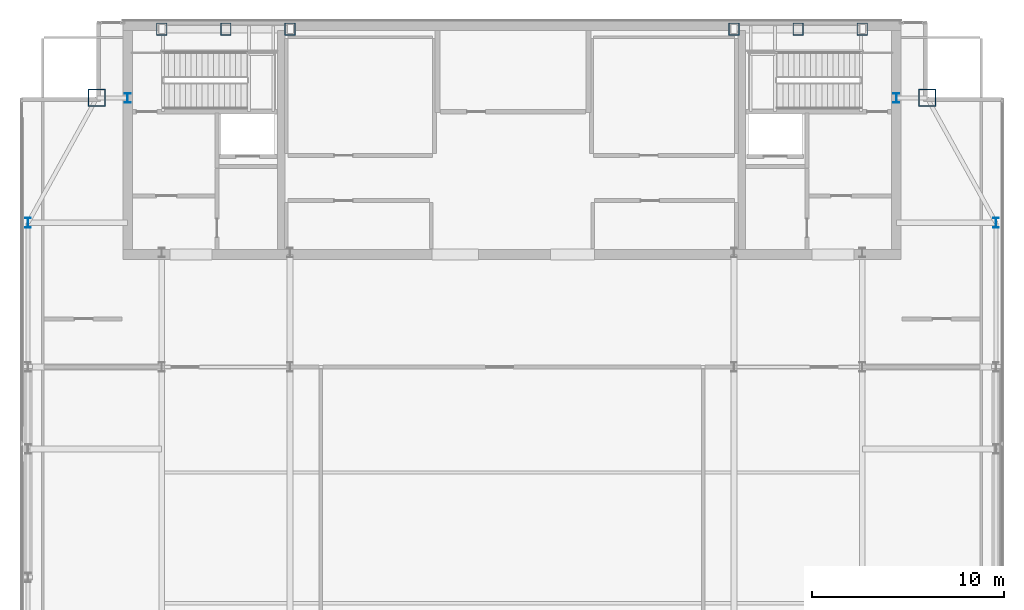
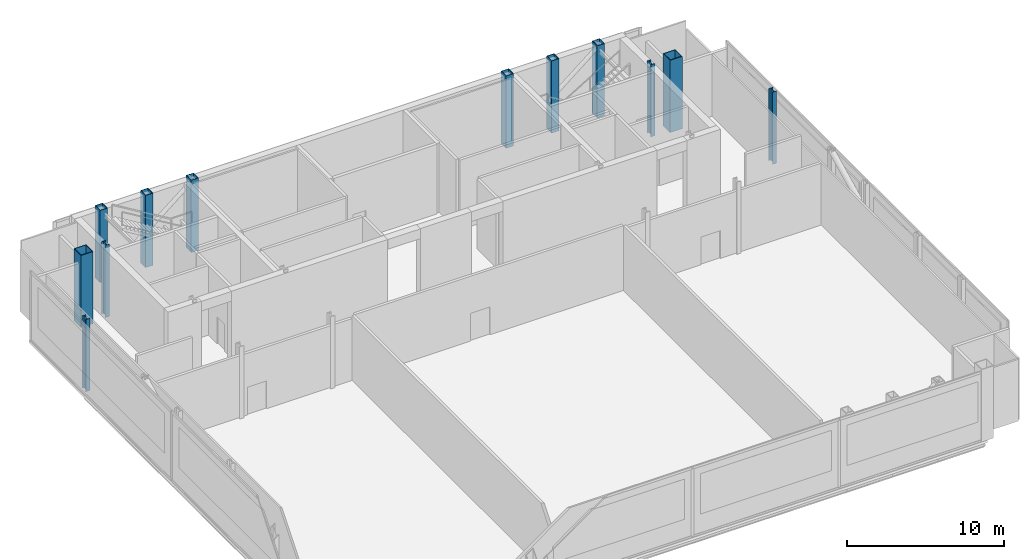
# One storey, part 3 of 22: 12 columns.
"""IFC4 building model written with IfcOpenShell, lengths in metres."""

from ifc_helpers import new_model, si_unit, direction, frame, origin, origin_2d, place, context, subcontext, project, spatial, hollow_rectangle, i_section, extrude, material, material_profile, profile_set, type_object, element, save


model = new_model("IFC4")

# Units and contexts
model_context = context("Model", 3, precision=1e-05, world=origin(), true_north=direction((0.0, 1.0)))
body_context = subcontext(model_context, "Body", "Model", "MODEL_VIEW")
ifc_project = project(units=[si_unit("LENGTHUNIT", "METRE"), si_unit("AREAUNIT", "SQUARE_METRE"), si_unit("VOLUMEUNIT", "CUBIC_METRE"), si_unit("PLANEANGLEUNIT", "RADIAN"), si_unit("MASSUNIT", "GRAM", prefix="KILO")], contexts=[model_context])

# Site, building, storey
site_placement = place(None, origin())
site = spatial("IfcSite", under=ifc_project, at=site_placement, CompositionType="ELEMENT")
building_placement = place(site_placement, origin())
building = spatial("IfcBuilding", under=site, at=building_placement, Name="Khoronbel Lancet Exchange", CompositionType="ELEMENT")
storey_placement = place(building_placement, frame((0.0, 0.0, 367.39990234375)))
storey = spatial("IfcBuildingStorey", under=building, at=storey_placement, Name="L94", CompositionType="ELEMENT", Elevation=367.39990234375)

# Columns
ifc_material_1 = material(Name="Steel S355", Category="steel")
ifc_material_profile_1 = material_profile(ifc_material_1, i_section(OverallWidth=0.300048828125, OverallDepth=0.5, WebThickness=0.014404296875, FlangeThickness=0.028076171875, at=origin_2d()), Name="HEB 500")
ifc_profile_set_1 = profile_set([ifc_material_profile_1], Name="Steel S355")
column_type_1 = type_object("IfcColumnType", Name="COL-CRC1", PredefinedType="COLUMN", material=ifc_profile_set_1)
for number, where, z_axis, x_axis, name in (
    (1, (11.27001953125, 43.199951171875, 0.0), (0.0, 0.0, 1.0), (1.0, 0.0, 0.0), "CROWN FRAME column WC-4 L94"),
    (2, (61.6298828125, 43.199951171875, 0.0), (0.0, 0.0, 1.0), (1.0, 0.0, 0.0), "CROWN FRAME column EC-4 L94"),
    (3, (16.449951171875, 49.699951171875, 0.0), (0.0, 0.0, 1.0), (1.0, 0.0, 0.0), "Core-flank plumb transfer column CFW L94"),
    (4, (56.449951171875, 49.699951171875, 0.0), (0.0, 0.0, 1.0), (1.0, 0.0, 0.0), "Core-flank plumb transfer column CFE L94"),
):
    element("IfcColumn", number, at=place(storey_placement, frame(where, z_axis=z_axis, x_axis=x_axis)), inside=storey, type_object=column_type_1, Name=name, PredefinedType="COLUMN", context=body_context, shape_type="SweptSolid", body=[
        extrude(i_section(OverallWidth=0.300048828125, OverallDepth=0.5, WebThickness=0.014404296875, FlangeThickness=0.028076171875, at=origin_2d()), origin(), (0.0, 0.0, 1.0), 5.60009765625),
    ])
ifc_material_2 = material(Name="Steel S460", Category="steel")
ifc_material_profile_2 = material_profile(ifc_material_2, hollow_rectangle(XDim=0.550048828125, YDim=0.64990234375, WallThickness=0.0400390625, at=origin_2d()), Name="BOX 650x550x40")
ifc_profile_set_2 = profile_set([ifc_material_profile_2], Name="Steel S460")
column_type_2 = type_object("IfcColumnType", Name="COL-EC4", PredefinedType="COLUMN", material=ifc_profile_set_2)
for number, where, z_axis, x_axis, name in (
    (5, (18.22509765625, 53.280029296875, 0.0), (0.0, 0.0, 1.0), (1.0, 0.0, 0.0), "CROWN FRAME column NC-W1 L94"),
    (6, (21.5625, 53.280029296875, 0.0), (0.0, 0.0, 1.0), (1.0, 0.0, 0.0), "CROWN FRAME column NC-WM L94"),
    (7, (24.89990234375, 53.280029296875, 0.0), (0.0, 0.0, 1.0), (1.0, 0.0, 0.0), "CROWN FRAME column NC-W2 L94"),
    (8, (48.0, 53.280029296875, 0.0), (0.0, 0.0, 1.0), (1.0, 0.0, 0.0), "CROWN FRAME column NC-E1 L94"),
    (9, (51.33740234375, 53.280029296875, 0.0), (0.0, 0.0, 1.0), (1.0, 0.0, 0.0), "CROWN FRAME column NC-EM L94"),
    (10, (54.675048828125, 53.280029296875, 0.0), (0.0, 0.0, 1.0), (1.0, 0.0, 0.0), "CROWN FRAME column NC-E2 L94"),
):
    element("IfcColumn", number, at=place(storey_placement, frame(where, z_axis=z_axis, x_axis=x_axis)), inside=storey, type_object=column_type_2, Name=name, PredefinedType="COLUMN", context=body_context, shape_type="SweptSolid", body=[
        extrude(hollow_rectangle(XDim=0.550048828125, YDim=0.64990234375, WallThickness=0.0400390625, at=origin_2d()), origin(), (0.0, 0.0, 1.0), 5.60009765625),
    ])
ifc_material_profile_3 = material_profile(ifc_material_2, hollow_rectangle(XDim=0.89990234375, YDim=0.89990234375, WallThickness=0.050048828125, at=origin_2d()), Name="BOX 900x900x50")
ifc_profile_set_3 = profile_set([ifc_material_profile_3], Name="Steel S460")
column_type_3 = type_object("IfcColumnType", Name="COL-MC7", PredefinedType="COLUMN", material=ifc_profile_set_3)
for number, where, z_axis, x_axis, name in (
    (11, (58.050048828125, 49.699951171875, 0.0), (0.0, 0.0, 1.0), (1.0, 0.0, 0.0), "CROWN FRAME column MC-NE L94"),
    (12, (14.85009765625, 49.699951171875, 0.0), (0.0, 0.0, 1.0), (1.0, 0.0, 0.0), "CROWN FRAME column MC-NW L94"),
):
    element("IfcColumn", number, at=place(storey_placement, frame(where, z_axis=z_axis, x_axis=x_axis)), inside=storey, type_object=column_type_3, Name=name, PredefinedType="COLUMN", context=body_context, shape_type="SweptSolid", body=[
        extrude(hollow_rectangle(XDim=0.89990234375, YDim=0.89990234375, WallThickness=0.050048828125, at=origin_2d()), origin(), (0.0, 0.0, 1.0), 5.60009765625),
    ])

save(model, "model.ifc")
